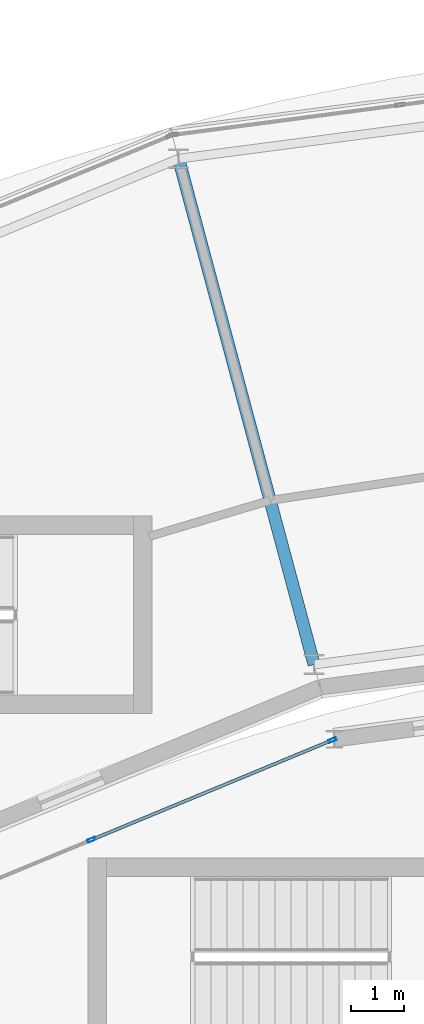
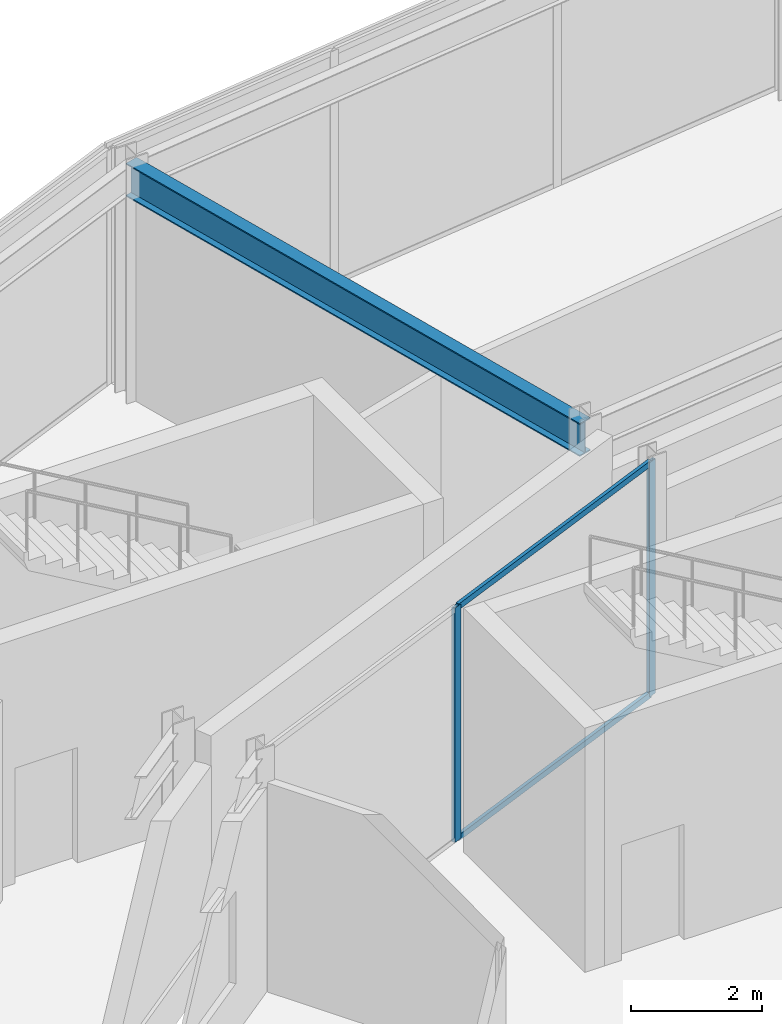
# One storey, part 74 of 157: 4 members, 1 beam, 1 element without a shape of its own.
"""IFC4 building model written with IfcOpenShell, lengths in metres."""

from ifc_helpers import new_model, si_unit, direction, frame, origin, origin_2d, place, context, subcontext, project, spatial, hollow_rectangle, i_section, extrude, material, material_profile, profile_set, type_object, element, aggregate, save


model = new_model("IFC4")

# Units and contexts
model_context = context("Model", 3, precision=1e-05, world=origin(), true_north=direction((0.0, 1.0)))
body_context = subcontext(model_context, "Body", "Model", "MODEL_VIEW")
ifc_project = project(units=[si_unit("LENGTHUNIT", "METRE"), si_unit("AREAUNIT", "SQUARE_METRE"), si_unit("VOLUMEUNIT", "CUBIC_METRE"), si_unit("PLANEANGLEUNIT", "RADIAN"), si_unit("MASSUNIT", "GRAM", prefix="KILO")], contexts=[model_context])

# Site, building, storey
site_placement = place(None, origin())
site = spatial("IfcSite", under=ifc_project, at=site_placement, CompositionType="ELEMENT")
building_placement = place(site_placement, origin())
building = spatial("IfcBuilding", under=site, at=building_placement, Name="Almandine Court Research Institute", CompositionType="ELEMENT")
storey_placement = place(building_placement, frame((0.0, 0.0, 5.25)))
storey = spatial("IfcBuildingStorey", under=building, at=storey_placement, Name="L01", CompositionType="ELEMENT", Elevation=5.25)

# Beam
ifc_material_1 = material(Name="Steel ASTM A992 Grade 50", Category="steel")
ifc_material_profile_1 = material_profile(ifc_material_1, i_section(OverallWidth=0.22998046875, OverallDepth=0.616943359375, WebThickness=0.012939453125, FlangeThickness=0.02197265625, at=origin_2d()), Name="W610x140")
ifc_profile_set_1 = profile_set([ifc_material_profile_1], Name="Steel ASTM A992 Grade 50")
beam_type = type_object("IfcBeamType", Name="Beam-G-02", PredefinedType="BEAM", material=ifc_profile_set_1)
beam_placement = place(storey_placement, frame((76.8798828125, 93.76806640625, 4.06103515625), z_axis=(-0.258774274024, 0.965937821551, 0.0), x_axis=(-0.965937821551, -0.258774274024, 0.0)))
element("IfcBeam", 1, at=beam_placement, inside=storey, type_object=beam_type, Name="L01 Drum Radial Girder 07", PredefinedType="BEAM", context=body_context, shape_type="SweptSolid", body=[
    extrude(i_section(OverallWidth=0.22998046875, OverallDepth=0.616943359375, WebThickness=0.012939453125, FlangeThickness=0.02197265625, at=origin_2d()), origin(), (0.0, 0.0, 1.0), 9.799560546875),
])

# Curtain wall, members
ifc_material_2 = material(Name="Unitised Curtain Wall Framing and Solar Glazing", Category="glass")
curtain_wall_type = type_object("IfcCurtainWallType", Name="CW-CWG-24", PredefinedType="USERDEFINED", material=ifc_material_2)
curtain_wall_placement = place(storey_placement, origin())
curtain_wall = element("IfcCurtainWall", 2, at=curtain_wall_placement, inside=storey, type_object=curtain_wall_type, Name="L01 Interaction Atrium Perimeter Curtain Wall 07", ObjectType="UNITISED GLAZING", PredefinedType="USERDEFINED")
ifc_material_3 = material(Name="Anodised Aluminium AW-6063-T6", Category="aluminium")
ifc_material_profile_2 = material_profile(ifc_material_3, hollow_rectangle(XDim=0.06005859375, YDim=0.14990234375, WallThickness=0.00390625, at=origin_2d()), Name="ALU RHS 60x150x4")
ifc_profile_set_2 = profile_set([ifc_material_profile_2], Name="Anodised Aluminium AW-6063-T6")
member_type_1 = type_object("IfcMemberType", Name="CWMul-60x150", PredefinedType="MULLION", material=ifc_profile_set_2)
member_1_placement = place(storey_placement, frame((72.715087890625, 90.487060546875, 0.0), z_axis=(0.0, 0.0, 1.0), x_axis=(-0.382633558665, 0.923900189297, 0.0)))
member_1 = element("IfcMember", 3, at=member_1_placement, type_object=member_type_1, Name="CWG-24 mullion 2", PredefinedType="MULLION", context=body_context, shape_type="SweptSolid", body=[
    extrude(hollow_rectangle(XDim=0.06005859375, YDim=0.14990234375, WallThickness=0.00390625, at=origin_2d()), origin(), (0.0, 0.0, 1.0), 4.3701171875),
])
member_2_placement = place(storey_placement, frame((77.224365234375, 92.3544921875, 0.0), z_axis=(0.0, 0.0, 1.0), x_axis=(-0.382633558665, 0.923900189297, 0.0)))
member_2 = element("IfcMember", 4, at=member_2_placement, type_object=member_type_1, Name="CWG-24 mullion 3", PredefinedType="MULLION", context=body_context, shape_type="SweptSolid", body=[
    extrude(hollow_rectangle(XDim=0.06005859375, YDim=0.14990234375, WallThickness=0.00390625, at=origin_2d()), origin(), (0.0, 0.0, 1.0), 4.3701171875),
])
ifc_material_profile_3 = material_profile(ifc_material_3, hollow_rectangle(XDim=0.06005859375, YDim=0.110107421875, WallThickness=0.00390625, at=origin_2d()), Name="ALU RHS 60x110x4")
ifc_profile_set_3 = profile_set([ifc_material_profile_3], Name="Anodised Aluminium AW-6063-T6")
member_type_2 = type_object("IfcMemberType", Name="CWTrn-60x110", PredefinedType="NOTDEFINED", material=ifc_profile_set_3)
member_3_placement = place(storey_placement, frame((72.74267578125, 90.49853515625, 0.030029296875), z_axis=(0.923906353025, 0.382618675498, 0.0), x_axis=(-0.382618675498, 0.923906353025, 0.0)))
member_3 = element("IfcMember", 5, at=member_3_placement, type_object=member_type_2, Name="CWG-24 transom 2.1", ObjectType="TRANSOM", PredefinedType="USERDEFINED", context=body_context, shape_type="SweptSolid", body=[
    extrude(hollow_rectangle(XDim=0.06005859375, YDim=0.110107421875, WallThickness=0.00390625, at=origin_2d()), origin(), (0.0, 0.0, 1.0), 4.82080078125),
])
member_4_placement = place(storey_placement, frame((72.74267578125, 90.49853515625, 4.340087890625), z_axis=(0.923906353025, 0.382618675498, 0.0), x_axis=(-0.382618675498, 0.923906353025, 0.0)))
member_4 = element("IfcMember", 6, at=member_4_placement, type_object=member_type_2, Name="CWG-24 transom 2.2", ObjectType="TRANSOM", PredefinedType="USERDEFINED", context=body_context, shape_type="SweptSolid", body=[
    extrude(hollow_rectangle(XDim=0.06005859375, YDim=0.110107421875, WallThickness=0.00390625, at=origin_2d()), origin(), (0.0, 0.0, 1.0), 4.82080078125),
])
aggregate(curtain_wall, [member_1, member_2, member_3, member_4])

save(model, "model.ifc")
